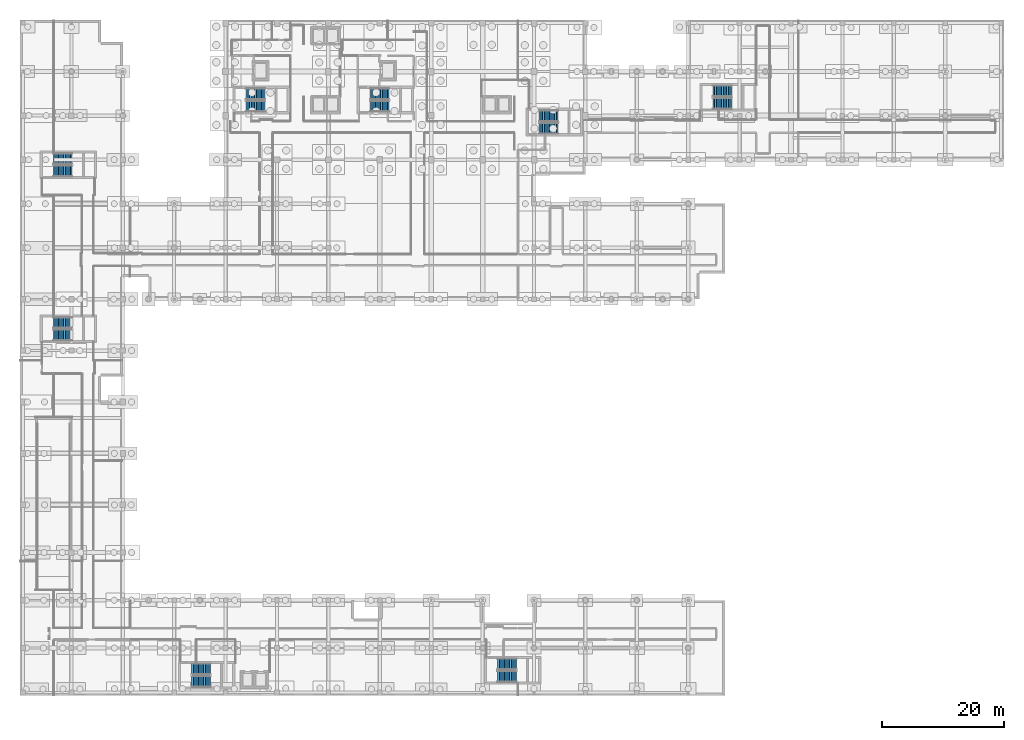
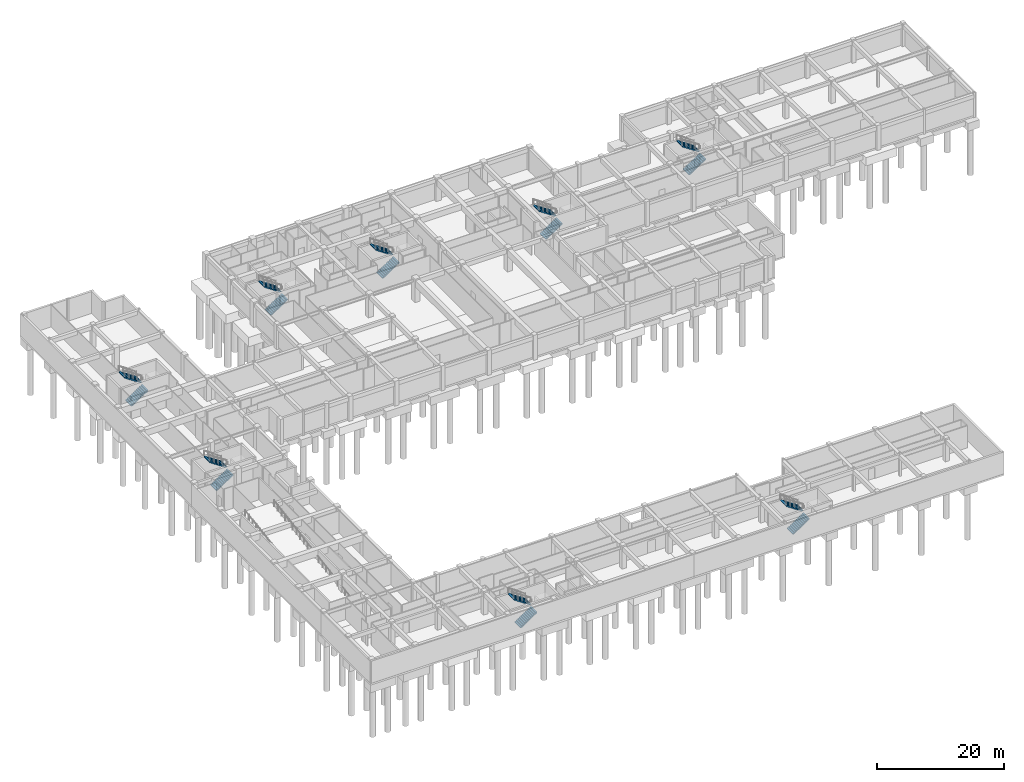
# One storey, part 34 of 42: 16 stair flights, 8 elements without a shape of their own.
"""IFC4 building model written with IfcOpenShell, lengths in metres."""

from ifc_helpers import new_model, si_unit, direction, frame, origin, place, context, subcontext, project, spatial, polyline, outline, extrude, material, type_object, element, aggregate, save


model = new_model("IFC4")

# Units and contexts
model_context = context("Model", 3, precision=1e-05, world=origin(), true_north=direction((0.0, 1.0)))
body_context = subcontext(model_context, "Body", "Model", "MODEL_VIEW")
ifc_project = project(units=[si_unit("LENGTHUNIT", "METRE"), si_unit("AREAUNIT", "SQUARE_METRE"), si_unit("VOLUMEUNIT", "CUBIC_METRE"), si_unit("PLANEANGLEUNIT", "RADIAN"), si_unit("MASSUNIT", "GRAM", prefix="KILO")], contexts=[model_context])

# Site, building, storey
site_placement = place(None, origin())
site = spatial("IfcSite", under=ifc_project, at=site_placement, CompositionType="ELEMENT")
building_placement = place(site_placement, origin())
building = spatial("IfcBuilding", under=site, at=building_placement, Name="Quendrovan Civic Courthouse", CompositionType="ELEMENT")
storey_placement = place(building_placement, frame((0.0, 0.0, -4.5)))
storey = spatial("IfcBuildingStorey", under=building, at=storey_placement, Name="B1", CompositionType="ELEMENT", Elevation=-4.5)

# Stair, stair flights
ifc_material_1 = material(Name="Concrete C40/50", Category="concrete")
stair_type_1 = type_object("IfcStairType", Name="STR-CORE-4500", PredefinedType="HALF_TURN_STAIR", material=ifc_material_1)
stair_1_placement = place(storey_placement, origin())
stair_1 = element("IfcStair", 1, at=stair_1_placement, inside=storey, type_object=stair_type_1, Name="B1 West Judicial and Public Exit Stair 1", PredefinedType="HALF_TURN_STAIR")
stair_flight_type_1 = type_object("IfcStairFlightType", Name="FLT-CORE-4500", PredefinedType="STRAIGHT", material=ifc_material_1)
stair_flight_1_placement = place(storey_placement, frame((36.949951171875, 96.324951171875, 0.0), z_axis=(0.0, 0.0, 1.0), x_axis=(1.0, 0.0, 0.0)))
stair_flight_1 = element("IfcStairFlight", 2, at=stair_flight_1_placement, type_object=stair_flight_type_1, Name="ST1 flight 1", NumberOfRisers=12, NumberOfTreads=11, PredefinedType="STRAIGHT", RiserHeight=0.1875, TreadLength=0.28, context=body_context, shape_type="SweptSolid", body=[
    extrude(outline(polyline([(0.0, 0.0), (0.0, 0.1875), (0.280029296875, 0.1875), (0.280029296875, 0.375), (0.56005859375, 0.375), (0.56005859375, 0.5625), (0.840087890625, 0.5625), (0.840087890625, 0.75), (1.1201171875, 0.75), (1.1201171875, 0.9375), (1.39990234375, 0.9375), (1.39990234375, 1.125), (1.679931640625, 1.125), (1.679931640625, 1.3125), (1.9599609375, 1.3125), (1.9599609375, 1.5), (2.239990234375, 1.5), (2.239990234375, 1.6875), (2.52001953125, 1.6875), (2.52001953125, 1.875), (2.800048828125, 1.875), (2.800048828125, 2.0625), (3.080078125, 2.0625), (3.080078125, 2.25), (3.080078125, 1.882080078125), (0.26953125, 0.0), (0.0, 0.0)])), frame((0.0, 0.925048828125, 0.0), z_axis=(0.0, -1.0, 0.0), x_axis=(1.0, 0.0, 0.0)), (0.0, 0.0, 1.0), 1.85009765625),
])
stair_flight_2_placement = place(storey_placement, frame((40.030029296875, 98.35498046875, 2.25), z_axis=(0.0, 0.0, 1.0), x_axis=(-1.0, 0.0, 0.0)))
stair_flight_2 = element("IfcStairFlight", 3, at=stair_flight_2_placement, type_object=stair_flight_type_1, Name="ST1 flight 2", NumberOfRisers=12, NumberOfTreads=11, PredefinedType="STRAIGHT", RiserHeight=0.1875, TreadLength=0.28, context=body_context, shape_type="SweptSolid", body=[
    extrude(outline(polyline([(0.0, 0.0), (0.0, 0.1875), (0.280029296875, 0.1875), (0.280029296875, 0.375), (0.56005859375, 0.375), (0.56005859375, 0.5625), (0.840087890625, 0.5625), (0.840087890625, 0.75), (1.1201171875, 0.75), (1.1201171875, 0.9375), (1.39990234375, 0.9375), (1.39990234375, 1.125), (1.679931640625, 1.125), (1.679931640625, 1.3125), (1.9599609375, 1.3125), (1.9599609375, 1.5), (2.239990234375, 1.5), (2.239990234375, 1.6875), (2.52001953125, 1.6875), (2.52001953125, 1.875), (2.800048828125, 1.875), (2.800048828125, 2.0625), (3.080078125, 2.0625), (3.080078125, 2.25), (3.080078125, 1.882080078125), (0.26953125, 0.0), (0.0, 0.0)])), frame((0.0, 0.925048828125, 0.0), z_axis=(0.0, -1.0, 0.0), x_axis=(1.0, 0.0, 0.0)), (0.0, 0.0, 1.0), 1.85009765625),
])
aggregate(stair_1, [stair_flight_1, stair_flight_2])

stair_2_placement = place(storey_placement, origin())
stair_2 = element("IfcStair", 4, at=stair_2_placement, inside=storey, type_object=stair_type_1, Name="B1 Central Judicial and Firefighting Exit Stair 2", PredefinedType="HALF_TURN_STAIR")
stair_flight_3_placement = place(storey_placement, frame((57.25, 96.324951171875, 0.0), z_axis=(0.0, 0.0, 1.0), x_axis=(1.0, 0.0, 0.0)))
stair_flight_3 = element("IfcStairFlight", 5, at=stair_flight_3_placement, type_object=stair_flight_type_1, Name="ST2 flight 1", NumberOfRisers=12, NumberOfTreads=11, PredefinedType="STRAIGHT", RiserHeight=0.1875, TreadLength=0.28, context=body_context, shape_type="SweptSolid", body=[
    extrude(outline(polyline([(0.0, 0.0), (0.0, 0.1875), (0.280029296875, 0.1875), (0.280029296875, 0.375), (0.56005859375, 0.375), (0.56005859375, 0.5625), (0.840087890625, 0.5625), (0.840087890625, 0.75), (1.1201171875, 0.75), (1.1201171875, 0.9375), (1.39990234375, 0.9375), (1.39990234375, 1.125), (1.679931640625, 1.125), (1.679931640625, 1.3125), (1.9599609375, 1.3125), (1.9599609375, 1.5), (2.239990234375, 1.5), (2.239990234375, 1.6875), (2.52001953125, 1.6875), (2.52001953125, 1.875), (2.800048828125, 1.875), (2.800048828125, 2.0625), (3.080078125, 2.0625), (3.080078125, 2.25), (3.080078125, 1.882080078125), (0.26953125, 0.0), (0.0, 0.0)])), frame((0.0, 0.925048828125, 0.0), z_axis=(0.0, -1.0, 0.0), x_axis=(1.0, 0.0, 0.0)), (0.0, 0.0, 1.0), 1.85009765625),
])
stair_flight_4_placement = place(storey_placement, frame((60.330078125, 98.35498046875, 2.25), z_axis=(0.0, 0.0, 1.0), x_axis=(-1.0, 0.0, 0.0)))
stair_flight_4 = element("IfcStairFlight", 6, at=stair_flight_4_placement, type_object=stair_flight_type_1, Name="ST2 flight 2", NumberOfRisers=12, NumberOfTreads=11, PredefinedType="STRAIGHT", RiserHeight=0.1875, TreadLength=0.28, context=body_context, shape_type="SweptSolid", body=[
    extrude(outline(polyline([(0.0, 0.0), (0.0, 0.1875), (0.280029296875, 0.1875), (0.280029296875, 0.375), (0.56005859375, 0.375), (0.56005859375, 0.5625), (0.840087890625, 0.5625), (0.840087890625, 0.75), (1.1201171875, 0.75), (1.1201171875, 0.9375), (1.39990234375, 0.9375), (1.39990234375, 1.125), (1.679931640625, 1.125), (1.679931640625, 1.3125), (1.9599609375, 1.3125), (1.9599609375, 1.5), (2.239990234375, 1.5), (2.239990234375, 1.6875), (2.52001953125, 1.6875), (2.52001953125, 1.875), (2.800048828125, 1.875), (2.800048828125, 2.0625), (3.080078125, 2.0625), (3.080078125, 2.25), (3.080078125, 1.882080078125), (0.26953125, 0.0), (0.0, 0.0)])), frame((0.0, 0.925048828125, 0.0), z_axis=(0.0, -1.0, 0.0), x_axis=(1.0, 0.0, 0.0)), (0.0, 0.0, 1.0), 1.85009765625),
])
aggregate(stair_2, [stair_flight_3, stair_flight_4])

stair_3_placement = place(storey_placement, origin())
stair_3 = element("IfcStair", 7, at=stair_3_placement, inside=storey, type_object=stair_type_1, Name="B1 East Court Block Exit Stair 3", PredefinedType="HALF_TURN_STAIR")
stair_flight_5_placement = place(storey_placement, frame((84.85009765625, 92.72509765625, 0.0), z_axis=(0.0, 0.0, 1.0), x_axis=(1.0, 0.0, 0.0)))
stair_flight_5 = element("IfcStairFlight", 8, at=stair_flight_5_placement, type_object=stair_flight_type_1, Name="ST3 flight 1", NumberOfRisers=12, NumberOfTreads=11, PredefinedType="STRAIGHT", RiserHeight=0.1875, TreadLength=0.28, context=body_context, shape_type="SweptSolid", body=[
    extrude(outline(polyline([(0.0, 0.0), (0.0, 0.1875), (0.280029296875, 0.1875), (0.280029296875, 0.375), (0.56005859375, 0.375), (0.56005859375, 0.5625), (0.840087890625, 0.5625), (0.840087890625, 0.75), (1.1201171875, 0.75), (1.1201171875, 0.9375), (1.39990234375, 0.9375), (1.39990234375, 1.125), (1.679931640625, 1.125), (1.679931640625, 1.3125), (1.9599609375, 1.3125), (1.9599609375, 1.5), (2.239990234375, 1.5), (2.239990234375, 1.6875), (2.52001953125, 1.6875), (2.52001953125, 1.875), (2.800048828125, 1.875), (2.800048828125, 2.0625), (3.080078125, 2.0625), (3.080078125, 2.25), (3.080078125, 1.882080078125), (0.26953125, 0.0), (0.0, 0.0)])), frame((0.0, 0.925048828125, 0.0), z_axis=(0.0, -1.0, 0.0), x_axis=(1.0, 0.0, 0.0)), (0.0, 0.0, 1.0), 1.85009765625),
])
stair_flight_6_placement = place(storey_placement, frame((87.929931640625, 94.7548828125, 2.25), z_axis=(0.0, 0.0, 1.0), x_axis=(-1.0, 0.0, 0.0)))
stair_flight_6 = element("IfcStairFlight", 9, at=stair_flight_6_placement, type_object=stair_flight_type_1, Name="ST3 flight 2", NumberOfRisers=12, NumberOfTreads=11, PredefinedType="STRAIGHT", RiserHeight=0.1875, TreadLength=0.28, context=body_context, shape_type="SweptSolid", body=[
    extrude(outline(polyline([(0.0, 0.0), (0.0, 0.1875), (0.280029296875, 0.1875), (0.280029296875, 0.375), (0.56005859375, 0.375), (0.56005859375, 0.5625), (0.840087890625, 0.5625), (0.840087890625, 0.75), (1.1201171875, 0.75), (1.1201171875, 0.9375), (1.39990234375, 0.9375), (1.39990234375, 1.125), (1.679931640625, 1.125), (1.679931640625, 1.3125), (1.9599609375, 1.3125), (1.9599609375, 1.5), (2.239990234375, 1.5), (2.239990234375, 1.6875), (2.52001953125, 1.6875), (2.52001953125, 1.875), (2.800048828125, 1.875), (2.800048828125, 2.0625), (3.080078125, 2.0625), (3.080078125, 2.25), (3.080078125, 1.882080078125), (0.26953125, 0.0), (0.0, 0.0)])), frame((0.0, 0.925048828125, 0.0), z_axis=(0.0, -1.0, 0.0), x_axis=(1.0, 0.0, 0.0)), (0.0, 0.0, 1.0), 1.85009765625),
])
aggregate(stair_3, [stair_flight_5, stair_flight_6])

stair_4_placement = place(storey_placement, origin())
stair_4 = element("IfcStair", 10, at=stair_4_placement, inside=storey, type_object=stair_type_1, Name="B1 Law Library Wing Exit Stair 4", PredefinedType="HALF_TURN_STAIR")
stair_flight_7_placement = place(storey_placement, frame((5.449951171875, 58.925048828125, 0.0), z_axis=(0.0, 0.0, 1.0), x_axis=(1.0, 0.0, 0.0)))
stair_flight_7 = element("IfcStairFlight", 11, at=stair_flight_7_placement, type_object=stair_flight_type_1, Name="ST4 flight 1", NumberOfRisers=12, NumberOfTreads=11, PredefinedType="STRAIGHT", RiserHeight=0.1875, TreadLength=0.28, context=body_context, shape_type="SweptSolid", body=[
    extrude(outline(polyline([(0.0, 0.0), (0.0, 0.1875), (0.280029296875, 0.1875), (0.280029296875, 0.375), (0.56005859375, 0.375), (0.56005859375, 0.5625), (0.840087890625, 0.5625), (0.840087890625, 0.75), (1.1201171875, 0.75), (1.1201171875, 0.9375), (1.39990234375, 0.9375), (1.39990234375, 1.125), (1.679931640625, 1.125), (1.679931640625, 1.3125), (1.9599609375, 1.3125), (1.9599609375, 1.5), (2.239990234375, 1.5), (2.239990234375, 1.6875), (2.52001953125, 1.6875), (2.52001953125, 1.875), (2.800048828125, 1.875), (2.800048828125, 2.0625), (3.080078125, 2.0625), (3.080078125, 2.25), (3.080078125, 1.882080078125), (0.26953125, 0.0), (0.0, 0.0)])), frame((0.0, 0.925048828125, 0.0), z_axis=(0.0, -1.0, 0.0), x_axis=(1.0, 0.0, 0.0)), (0.0, 0.0, 1.0), 1.85009765625),
])
stair_flight_8_placement = place(storey_placement, frame((8.530029296875, 60.955078125, 2.25), z_axis=(0.0, 0.0, 1.0), x_axis=(-1.0, 0.0, 0.0)))
stair_flight_8 = element("IfcStairFlight", 12, at=stair_flight_8_placement, type_object=stair_flight_type_1, Name="ST4 flight 2", NumberOfRisers=12, NumberOfTreads=11, PredefinedType="STRAIGHT", RiserHeight=0.1875, TreadLength=0.28, context=body_context, shape_type="SweptSolid", body=[
    extrude(outline(polyline([(0.0, 0.0), (0.0, 0.1875), (0.280029296875, 0.1875), (0.280029296875, 0.375), (0.56005859375, 0.375), (0.56005859375, 0.5625), (0.840087890625, 0.5625), (0.840087890625, 0.75), (1.1201171875, 0.75), (1.1201171875, 0.9375), (1.39990234375, 0.9375), (1.39990234375, 1.125), (1.679931640625, 1.125), (1.679931640625, 1.3125), (1.9599609375, 1.3125), (1.9599609375, 1.5), (2.239990234375, 1.5), (2.239990234375, 1.6875), (2.52001953125, 1.6875), (2.52001953125, 1.875), (2.800048828125, 1.875), (2.800048828125, 2.0625), (3.080078125, 2.0625), (3.080078125, 2.25), (3.080078125, 1.882080078125), (0.26953125, 0.0), (0.0, 0.0)])), frame((0.0, 0.925048828125, 0.0), z_axis=(0.0, -1.0, 0.0), x_axis=(1.0, 0.0, 0.0)), (0.0, 0.0, 1.0), 1.85009765625),
])
aggregate(stair_4, [stair_flight_7, stair_flight_8])

stair_5_placement = place(storey_placement, origin())
stair_5 = element("IfcStair", 13, at=stair_5_placement, inside=storey, type_object=stair_type_1, Name="B1 Custody Wing Secure Exit Stair 5", PredefinedType="HALF_TURN_STAIR")
stair_flight_9_placement = place(storey_placement, frame((28.050048828125, 2.324951171875, 0.0), z_axis=(0.0, 0.0, 1.0), x_axis=(1.0, 0.0, 0.0)))
stair_flight_9 = element("IfcStairFlight", 14, at=stair_flight_9_placement, type_object=stair_flight_type_1, Name="ST5 flight 1", NumberOfRisers=12, NumberOfTreads=11, PredefinedType="STRAIGHT", RiserHeight=0.1875, TreadLength=0.28, context=body_context, shape_type="SweptSolid", body=[
    extrude(outline(polyline([(0.0, 0.0), (0.0, 0.1875), (0.280029296875, 0.1875), (0.280029296875, 0.375), (0.56005859375, 0.375), (0.56005859375, 0.5625), (0.840087890625, 0.5625), (0.840087890625, 0.75), (1.1201171875, 0.75), (1.1201171875, 0.9375), (1.39990234375, 0.9375), (1.39990234375, 1.125), (1.679931640625, 1.125), (1.679931640625, 1.3125), (1.9599609375, 1.3125), (1.9599609375, 1.5), (2.239990234375, 1.5), (2.239990234375, 1.6875), (2.52001953125, 1.6875), (2.52001953125, 1.875), (2.800048828125, 1.875), (2.800048828125, 2.0625), (3.080078125, 2.0625), (3.080078125, 2.25), (3.080078125, 1.882080078125), (0.26953125, 0.0), (0.0, 0.0)])), frame((0.0, 0.925048828125, 0.0), z_axis=(0.0, -1.0, 0.0), x_axis=(1.0, 0.0, 0.0)), (0.0, 0.0, 1.0), 1.85009765625),
])
stair_flight_10_placement = place(storey_placement, frame((31.1298828125, 4.35498046875, 2.25), z_axis=(0.0, 0.0, 1.0), x_axis=(-1.0, 0.0, 0.0)))
stair_flight_10 = element("IfcStairFlight", 15, at=stair_flight_10_placement, type_object=stair_flight_type_1, Name="ST5 flight 2", NumberOfRisers=12, NumberOfTreads=11, PredefinedType="STRAIGHT", RiserHeight=0.1875, TreadLength=0.28, context=body_context, shape_type="SweptSolid", body=[
    extrude(outline(polyline([(0.0, 0.0), (0.0, 0.1875), (0.280029296875, 0.1875), (0.280029296875, 0.375), (0.56005859375, 0.375), (0.56005859375, 0.5625), (0.840087890625, 0.5625), (0.840087890625, 0.75), (1.1201171875, 0.75), (1.1201171875, 0.9375), (1.39990234375, 0.9375), (1.39990234375, 1.125), (1.679931640625, 1.125), (1.679931640625, 1.3125), (1.9599609375, 1.3125), (1.9599609375, 1.5), (2.239990234375, 1.5), (2.239990234375, 1.6875), (2.52001953125, 1.6875), (2.52001953125, 1.875), (2.800048828125, 1.875), (2.800048828125, 2.0625), (3.080078125, 2.0625), (3.080078125, 2.25), (3.080078125, 1.882080078125), (0.26953125, 0.0), (0.0, 0.0)])), frame((0.0, 0.925048828125, 0.0), z_axis=(0.0, -1.0, 0.0), x_axis=(1.0, 0.0, 0.0)), (0.0, 0.0, 1.0), 1.85009765625),
])
aggregate(stair_5, [stair_flight_9, stair_flight_10])

stair_6_placement = place(storey_placement, origin())
stair_6 = element("IfcStair", 16, at=stair_6_placement, inside=storey, type_object=stair_type_1, Name="B1 Ceremonial Pavilion Exit Stair 6", PredefinedType="HALF_TURN_STAIR")
stair_flight_11_placement = place(storey_placement, frame((113.25, 96.77490234375, 0.0), z_axis=(0.0, 0.0, 1.0), x_axis=(1.0, 0.0, 0.0)))
stair_flight_11 = element("IfcStairFlight", 17, at=stair_flight_11_placement, type_object=stair_flight_type_1, Name="ST6 flight 1", NumberOfRisers=12, NumberOfTreads=11, PredefinedType="STRAIGHT", RiserHeight=0.1875, TreadLength=0.28, context=body_context, shape_type="SweptSolid", body=[
    extrude(outline(polyline([(0.0, 0.0), (0.0, 0.1875), (0.280029296875, 0.1875), (0.280029296875, 0.375), (0.56005859375, 0.375), (0.56005859375, 0.5625), (0.840087890625, 0.5625), (0.840087890625, 0.75), (1.1201171875, 0.75), (1.1201171875, 0.9375), (1.39990234375, 0.9375), (1.39990234375, 1.125), (1.679931640625, 1.125), (1.679931640625, 1.3125), (1.9599609375, 1.3125), (1.9599609375, 1.5), (2.239990234375, 1.5), (2.239990234375, 1.6875), (2.52001953125, 1.6875), (2.52001953125, 1.875), (2.800048828125, 1.875), (2.800048828125, 2.0625), (3.080078125, 2.0625), (3.080078125, 2.25), (3.080078125, 1.882080078125), (0.26953125, 0.0), (0.0, 0.0)])), frame((0.0, 0.925048828125, 0.0), z_axis=(0.0, -1.0, 0.0), x_axis=(1.0, 0.0, 0.0)), (0.0, 0.0, 1.0), 1.85009765625),
])
stair_flight_12_placement = place(storey_placement, frame((116.330078125, 98.804931640625, 2.25), z_axis=(0.0, 0.0, 1.0), x_axis=(-1.0, 0.0, 0.0)))
stair_flight_12 = element("IfcStairFlight", 18, at=stair_flight_12_placement, type_object=stair_flight_type_1, Name="ST6 flight 2", NumberOfRisers=12, NumberOfTreads=11, PredefinedType="STRAIGHT", RiserHeight=0.1875, TreadLength=0.28, context=body_context, shape_type="SweptSolid", body=[
    extrude(outline(polyline([(0.0, 0.0), (0.0, 0.1875), (0.280029296875, 0.1875), (0.280029296875, 0.375), (0.56005859375, 0.375), (0.56005859375, 0.5625), (0.840087890625, 0.5625), (0.840087890625, 0.75), (1.1201171875, 0.75), (1.1201171875, 0.9375), (1.39990234375, 0.9375), (1.39990234375, 1.125), (1.679931640625, 1.125), (1.679931640625, 1.3125), (1.9599609375, 1.3125), (1.9599609375, 1.5), (2.239990234375, 1.5), (2.239990234375, 1.6875), (2.52001953125, 1.6875), (2.52001953125, 1.875), (2.800048828125, 1.875), (2.800048828125, 2.0625), (3.080078125, 2.0625), (3.080078125, 2.25), (3.080078125, 1.882080078125), (0.26953125, 0.0), (0.0, 0.0)])), frame((0.0, 0.925048828125, 0.0), z_axis=(0.0, -1.0, 0.0), x_axis=(1.0, 0.0, 0.0)), (0.0, 0.0, 1.0), 1.85009765625),
])
aggregate(stair_6, [stair_flight_11, stair_flight_12])

ifc_material_2 = material(Name="Precast concrete C45/55", Category="concrete")
stair_type_2 = type_object("IfcStairType", Name="STR-FEAT-4500", PredefinedType="HALF_TURN_STAIR", material=ifc_material_2)
stair_7_placement = place(storey_placement, origin())
stair_7 = element("IfcStair", 19, at=stair_7_placement, inside=storey, type_object=stair_type_2, Name="B1 South-East Registry and Custody Exit Stair 7", PredefinedType="HALF_TURN_STAIR")
stair_flight_type_2 = type_object("IfcStairFlightType", Name="FLT-FEAT-4500", PredefinedType="STRAIGHT", material=ifc_material_2)
stair_flight_13_placement = place(storey_placement, frame((78.050048828125, 3.125, 0.0), z_axis=(0.0, 0.0, 1.0), x_axis=(1.0, 0.0, 0.0)))
stair_flight_13 = element("IfcStairFlight", 20, at=stair_flight_13_placement, type_object=stair_flight_type_2, Name="ST7 flight 1", NumberOfRisers=12, NumberOfTreads=11, PredefinedType="STRAIGHT", RiserHeight=0.1875, TreadLength=0.28, context=body_context, shape_type="SweptSolid", body=[
    extrude(outline(polyline([(0.0, 0.0), (0.0, 0.1875), (0.280029296875, 0.1875), (0.280029296875, 0.375), (0.56005859375, 0.375), (0.56005859375, 0.5625), (0.840087890625, 0.5625), (0.840087890625, 0.75), (1.1201171875, 0.75), (1.1201171875, 0.9375), (1.39990234375, 0.9375), (1.39990234375, 1.125), (1.679931640625, 1.125), (1.679931640625, 1.3125), (1.9599609375, 1.3125), (1.9599609375, 1.5), (2.239990234375, 1.5), (2.239990234375, 1.6875), (2.52001953125, 1.6875), (2.52001953125, 1.875), (2.800048828125, 1.875), (2.800048828125, 2.0625), (3.080078125, 2.0625), (3.080078125, 2.25), (3.080078125, 1.882080078125), (0.26953125, 0.0), (0.0, 0.0)])), frame((0.0, 0.925048828125, 0.0), z_axis=(0.0, -1.0, 0.0), x_axis=(1.0, 0.0, 0.0)), (0.0, 0.0, 1.0), 1.85009765625),
])
stair_flight_14_placement = place(storey_placement, frame((81.1298828125, 5.155029296875, 2.25), z_axis=(0.0, 0.0, 1.0), x_axis=(-1.0, 0.0, 0.0)))
stair_flight_14 = element("IfcStairFlight", 21, at=stair_flight_14_placement, type_object=stair_flight_type_2, Name="ST7 flight 2", NumberOfRisers=12, NumberOfTreads=11, PredefinedType="STRAIGHT", RiserHeight=0.1875, TreadLength=0.28, context=body_context, shape_type="SweptSolid", body=[
    extrude(outline(polyline([(0.0, 0.0), (0.0, 0.1875), (0.280029296875, 0.1875), (0.280029296875, 0.375), (0.56005859375, 0.375), (0.56005859375, 0.5625), (0.840087890625, 0.5625), (0.840087890625, 0.75), (1.1201171875, 0.75), (1.1201171875, 0.9375), (1.39990234375, 0.9375), (1.39990234375, 1.125), (1.679931640625, 1.125), (1.679931640625, 1.3125), (1.9599609375, 1.3125), (1.9599609375, 1.5), (2.239990234375, 1.5), (2.239990234375, 1.6875), (2.52001953125, 1.6875), (2.52001953125, 1.875), (2.800048828125, 1.875), (2.800048828125, 2.0625), (3.080078125, 2.0625), (3.080078125, 2.25), (3.080078125, 1.882080078125), (0.26953125, 0.0), (0.0, 0.0)])), frame((0.0, 0.925048828125, 0.0), z_axis=(0.0, -1.0, 0.0), x_axis=(1.0, 0.0, 0.0)), (0.0, 0.0, 1.0), 1.85009765625),
])
aggregate(stair_7, [stair_flight_13, stair_flight_14])

stair_8_placement = place(storey_placement, origin())
stair_8 = element("IfcStair", 22, at=stair_8_placement, inside=storey, type_object=stair_type_2, Name="B1 North-West Law Library Exit Stair 8", PredefinedType="HALF_TURN_STAIR")
stair_flight_15_placement = place(storey_placement, frame((5.449951171875, 85.72509765625, 0.0), z_axis=(0.0, 0.0, 1.0), x_axis=(1.0, 0.0, 0.0)))
stair_flight_15 = element("IfcStairFlight", 23, at=stair_flight_15_placement, type_object=stair_flight_type_2, Name="ST8 flight 1", NumberOfRisers=12, NumberOfTreads=11, PredefinedType="STRAIGHT", RiserHeight=0.1875, TreadLength=0.28, context=body_context, shape_type="SweptSolid", body=[
    extrude(outline(polyline([(0.0, 0.0), (0.0, 0.1875), (0.280029296875, 0.1875), (0.280029296875, 0.375), (0.56005859375, 0.375), (0.56005859375, 0.5625), (0.840087890625, 0.5625), (0.840087890625, 0.75), (1.1201171875, 0.75), (1.1201171875, 0.9375), (1.39990234375, 0.9375), (1.39990234375, 1.125), (1.679931640625, 1.125), (1.679931640625, 1.3125), (1.9599609375, 1.3125), (1.9599609375, 1.5), (2.239990234375, 1.5), (2.239990234375, 1.6875), (2.52001953125, 1.6875), (2.52001953125, 1.875), (2.800048828125, 1.875), (2.800048828125, 2.0625), (3.080078125, 2.0625), (3.080078125, 2.25), (3.080078125, 1.882080078125), (0.26953125, 0.0), (0.0, 0.0)])), frame((0.0, 0.925048828125, 0.0), z_axis=(0.0, -1.0, 0.0), x_axis=(1.0, 0.0, 0.0)), (0.0, 0.0, 1.0), 1.85009765625),
])
stair_flight_16_placement = place(storey_placement, frame((8.530029296875, 87.7548828125, 2.25), z_axis=(0.0, 0.0, 1.0), x_axis=(-1.0, 0.0, 0.0)))
stair_flight_16 = element("IfcStairFlight", 24, at=stair_flight_16_placement, type_object=stair_flight_type_2, Name="ST8 flight 2", NumberOfRisers=12, NumberOfTreads=11, PredefinedType="STRAIGHT", RiserHeight=0.1875, TreadLength=0.28, context=body_context, shape_type="SweptSolid", body=[
    extrude(outline(polyline([(0.0, 0.0), (0.0, 0.1875), (0.280029296875, 0.1875), (0.280029296875, 0.375), (0.56005859375, 0.375), (0.56005859375, 0.5625), (0.840087890625, 0.5625), (0.840087890625, 0.75), (1.1201171875, 0.75), (1.1201171875, 0.9375), (1.39990234375, 0.9375), (1.39990234375, 1.125), (1.679931640625, 1.125), (1.679931640625, 1.3125), (1.9599609375, 1.3125), (1.9599609375, 1.5), (2.239990234375, 1.5), (2.239990234375, 1.6875), (2.52001953125, 1.6875), (2.52001953125, 1.875), (2.800048828125, 1.875), (2.800048828125, 2.0625), (3.080078125, 2.0625), (3.080078125, 2.25), (3.080078125, 1.882080078125), (0.26953125, 0.0), (0.0, 0.0)])), frame((0.0, 0.925048828125, 0.0), z_axis=(0.0, -1.0, 0.0), x_axis=(1.0, 0.0, 0.0)), (0.0, 0.0, 1.0), 1.85009765625),
])
aggregate(stair_8, [stair_flight_15, stair_flight_16])

save(model, "model.ifc")
